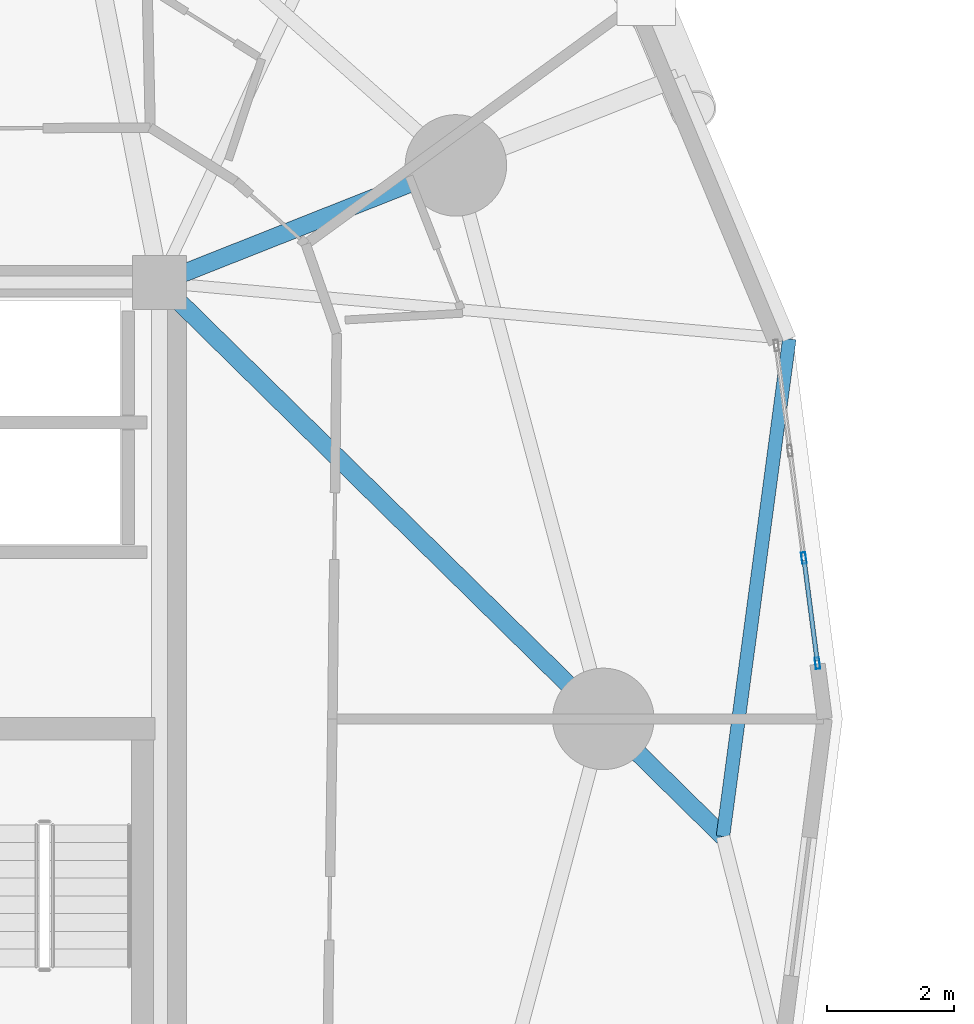
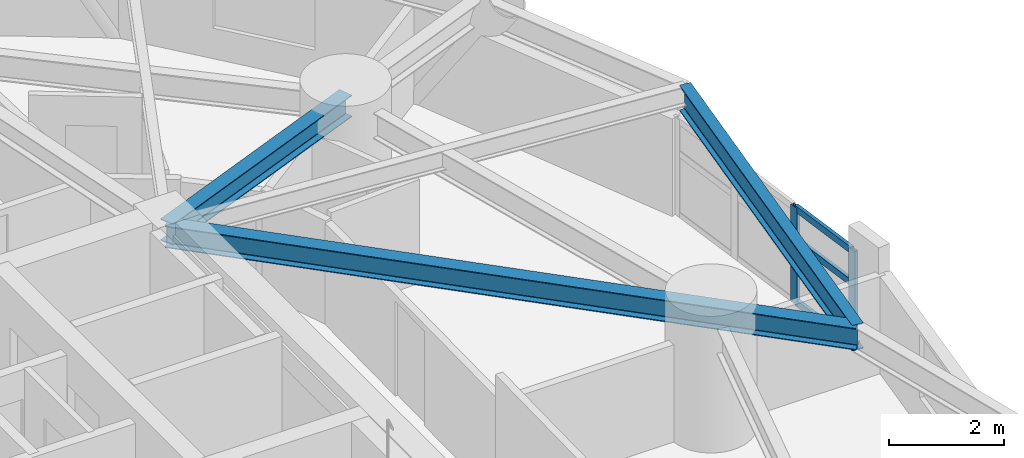
# One storey, part 2 of 19: 5 members, 3 beams, 1 element without a shape of its own.
"""IFC4 building model written with IfcOpenShell, lengths in metres."""

import ifcopenshell
import ifcopenshell.guid

model = None  # the IFC model being written
_history = None  # IfcOwnerHistory: only IFC2X3 demands one
_inside = {}  # id of a spatial element -> (the spatial element, [elements in it])
_under = {}  # id of a project, library or spatial element -> (it, [spatial elements below it])
_declared = {}  # id of a project -> (the project, [libraries it declares])
_typed = {}  # id of a type object -> (the type object, [elements of that type])
_made_of = {}  # id of a material, layer set ... -> (it, [elements and type objects made of it])


def new_model(schema):
    """Start an empty IFC model of exactly this schema.

    Asked for "IFC4X3", IfcOpenShell would pick the latest addendum, in which some entities
    have other attributes; the version numbers below select the first issue.
    IFC2X3 requires an IfcOwnerHistory on every rooted entity: one is made here for all.
    """
    global model, _history
    if schema == "IFC4X3":
        model = ifcopenshell.file(schema_version=(4, 3, 0, 0))
    else:
        model = ifcopenshell.file(schema=schema)
    _inside.clear()
    _under.clear()
    _declared.clear()
    _typed.clear()
    _made_of.clear()
    _history = None
    if model.schema == "IFC2X3":
        org = make("IfcOrganization", Name="unknown")
        user = make(
            "IfcPersonAndOrganization",
            ThePerson=make("IfcPerson", FamilyName="unknown"),
            TheOrganization=org,
        )
        app = make(
            "IfcApplication",
            ApplicationDeveloper=org,
            Version="unknown",
            ApplicationFullName="unknown",
            ApplicationIdentifier="unknown",
        )
        _history = make(
            "IfcOwnerHistory",
            OwningUser=user,
            OwningApplication=app,
            ChangeAction="ADDED",
            CreationDate=0,
        )
    return model


def make(cls, **values):
    """One entity of the class cls with the attributes given. An attribute that is None is left unset."""
    return model.create_entity(
        cls, **{name: value for name, value in values.items() if value is not None}
    )


def rooted(cls, **values):
    """An entity with a GlobalId (a new one), such as an element, a storey or a relation."""
    return make(cls, GlobalId=ifcopenshell.guid.new(), OwnerHistory=_history, **values)


def si_unit(unit_type, name, prefix=None):
    """IfcSIUnit, for example si_unit("LENGTHUNIT", "METRE", prefix="MILLI")."""
    return make("IfcSIUnit", UnitType=unit_type, Prefix=prefix, Name=name)


def assignment(units):
    """IfcUnitAssignment: the units of a project."""
    return None if units is None else make("IfcUnitAssignment", Units=units)


def point(xyz):
    """IfcCartesianPoint."""
    return None if xyz is None else make("IfcCartesianPoint", Coordinates=xyz)


def direction(xyz):
    """IfcDirection."""
    return None if xyz is None else make("IfcDirection", DirectionRatios=xyz)


def frame(location, z_axis=None, x_axis=None):
    """IfcAxis2Placement3D, a coordinate frame: its origin and axes. An axis left out is left unset."""
    return make(
        "IfcAxis2Placement3D",
        Location=point(location),
        Axis=direction(z_axis),
        RefDirection=direction(x_axis),
    )


def frame_2d(location, x_axis=None):
    """IfcAxis2Placement2D, a coordinate frame in the plane: its origin and x axis."""
    return make(
        "IfcAxis2Placement2D", Location=point(location), RefDirection=direction(x_axis)
    )


def origin():
    """The frame at (0, 0, 0) with its axes left unset."""
    return frame((0.0, 0.0, 0.0))


def origin_2d():
    """The frame at (0, 0) in the plane with its x axis left unset."""
    return frame_2d((0.0, 0.0))


def place(relative_to, where):
    """IfcLocalPlacement: puts the frame where relative to a parent placement (None: the world)."""
    return make(
        "IfcLocalPlacement", PlacementRelTo=relative_to, RelativePlacement=where
    )


def context(
    kind, dimensions, precision=None, world=None, true_north=None, identifier=None
):
    """IfcGeometricRepresentationContext, for example the 3D "Model" context."""
    return make(
        "IfcGeometricRepresentationContext",
        ContextIdentifier=identifier,
        ContextType=kind,
        CoordinateSpaceDimension=dimensions,
        Precision=precision,
        WorldCoordinateSystem=world,
        TrueNorth=true_north,
    )


def subcontext(parent, identifier, kind, view, scale=None):
    """IfcGeometricRepresentationSubContext, for example "Body" below "Model"."""
    return make(
        "IfcGeometricRepresentationSubContext",
        ContextIdentifier=identifier,
        ContextType=kind,
        ParentContext=parent,
        TargetScale=scale,
        TargetView=view,
    )


def project(units=None, contexts=None):
    """IfcProject with its units and contexts."""
    return rooted(
        "IfcProject",
        Name="project",
        RepresentationContexts=contexts,
        UnitsInContext=assignment(units),
    )


def spatial(cls, under=None, at=None, **own):
    """A site, building, storey or space (cls), placed at a placement, below another one or the project."""
    s = rooted(cls, ObjectPlacement=at, **own)
    if under is not None:
        _under.setdefault(under.id(), (under, []))[1].append(s)
    return s


def profile(cls, at=None, kind="AREA", **sizes):
    """A parametric profile (cls). Its sizes go by their IFC names, for example OverallWidth=200.0."""
    return make(cls, ProfileType=kind, Position=at, **sizes)


def hollow_rectangle(**sizes):
    """IfcRectangleHollowProfileDef."""
    return profile("IfcRectangleHollowProfileDef", **sizes)


def i_section(**sizes):
    """IfcIShapeProfileDef."""
    return profile("IfcIShapeProfileDef", **sizes)


def extrude(swept, where, along, depth):
    """IfcExtrudedAreaSolid: the profile swept, set in the frame where, extruded along a direction by depth."""
    return make(
        "IfcExtrudedAreaSolid",
        SweptArea=swept,
        Position=where,
        ExtrudedDirection=direction(along),
        Depth=depth,
    )


def shape(context_of_items, identifier, shape_type, items):
    """IfcShapeRepresentation: the items that make up one representation, for example the "Body"."""
    return make(
        "IfcShapeRepresentation",
        ContextOfItems=context_of_items,
        RepresentationIdentifier=identifier,
        RepresentationType=shape_type,
        Items=items,
    )


def material(Name=None, Category=None):
    """IfcMaterial."""
    return make("IfcMaterial", Name=Name, Category=Category)


def layer(
    of_material, thickness, ventilated=None, Name=None, Category=None, Priority=None
):
    """IfcMaterialLayer: one layer of a wall or slab, of a material (None: an air gap)."""
    return make(
        "IfcMaterialLayer",
        Material=of_material,
        LayerThickness=thickness,
        IsVentilated=ventilated,
        Name=Name,
        Category=Category,
        Priority=Priority,
    )


def layer_set(layers, Name=None):
    """IfcMaterialLayerSet."""
    return make("IfcMaterialLayerSet", MaterialLayers=layers, LayerSetName=Name)


def material_profile(
    of_material, cross_section, Name=None, Category=None, Priority=None
):
    """IfcMaterialProfile: a cross section and its material."""
    return make(
        "IfcMaterialProfile",
        Name=Name,
        Material=of_material,
        Profile=cross_section,
        Priority=Priority,
        Category=Category,
    )


def profile_set(profiles, Name=None, composite=None):
    """IfcMaterialProfileSet."""
    return make(
        "IfcMaterialProfileSet",
        Name=Name,
        MaterialProfiles=profiles,
        CompositeProfile=composite,
    )


def made_of(thing, what):
    """Note that an element or type object is made of a material, layer set ...; save() writes the relation."""
    if what is not None:
        _made_of.setdefault(what.id(), (what, []))[1].append(thing)
    return thing


def type_object(cls, material=None, **own):
    """A type object (cls), such as IfcWallType, which elements share."""
    return made_of(rooted(cls, **own), material)


def element(
    cls,
    number,
    at=None,
    inside=None,
    cuts=None,
    type_object=None,
    material=None,
    context=None,
    identifier="Body",
    shape_type=None,
    held_by="IfcProductDefinitionShape",
    body=None,
    shapes=None,
    **own,
):
    """One element of the class cls, such as IfcWall. Its Tag is "e" and its number.

    at: its placement. inside: the storey or other place that contains it. cuts: it is an
    opening in that element (IfcRelVoidsElement). A single representation is given by context,
    identifier, shape_type and body (its items); several are given by shapes. held_by: the class
    of the entity that holds the representations. save() writes the other relations.
    """
    e = rooted(cls, Tag="e%d" % number, ObjectPlacement=at, **own)
    if body is not None:
        shapes = [shape(context, identifier, shape_type, body)]
    if shapes is not None:
        e.Representation = make(held_by, Representations=shapes)
    if inside is not None:
        _inside.setdefault(inside.id(), (inside, []))[1].append(e)
    if cuts is not None:
        rooted(
            "IfcRelVoidsElement", RelatingBuildingElement=cuts, RelatedOpeningElement=e
        )
    if type_object is not None:
        _typed.setdefault(type_object.id(), (type_object, []))[1].append(e)
    return made_of(e, material)


def aggregate(whole, parts):
    """IfcRelAggregates: a whole, such as a stair, and the parts it consists of."""
    return rooted("IfcRelAggregates", RelatingObject=whole, RelatedObjects=parts)


def save(model, path):
    """Write the relations noted so far, then the file.

    IfcRelAggregates (storeys below a building ...), IfcRelContainedInSpatialStructure (elements
    in a storey), IfcRelDefinesByType, IfcRelAssociatesMaterial and IfcRelDeclares: one each for
    every whole, place, type object, material and project.
    """
    for whole, parts in _under.values():
        aggregate(whole, parts)
    for where, things in _inside.values():
        rooted(
            "IfcRelContainedInSpatialStructure",
            RelatedElements=things,
            RelatingStructure=where,
        )
    for kind, things in _typed.values():
        rooted("IfcRelDefinesByType", RelatedObjects=things, RelatingType=kind)
    for what, things in _made_of.values():
        rooted("IfcRelAssociatesMaterial", RelatedObjects=things, RelatingMaterial=what)
    for by, libraries in _declared.values():
        rooted("IfcRelDeclares", RelatingContext=by, RelatedDefinitions=libraries)
    model.write(path)


model = new_model("IFC4")

# Units and contexts
model_context = context("Model", 3, precision=1e-05, world=origin(), true_north=direction((0.0, 1.0)))
body_context = subcontext(model_context, "Body", "Model", "MODEL_VIEW")
ifc_project = project(units=[si_unit("LENGTHUNIT", "METRE"), si_unit("AREAUNIT", "SQUARE_METRE"), si_unit("VOLUMEUNIT", "CUBIC_METRE"), si_unit("PLANEANGLEUNIT", "RADIAN"), si_unit("MASSUNIT", "GRAM", prefix="KILO")], contexts=[model_context])

# Site, building, storey
site_placement = place(None, origin())
site = spatial("IfcSite", under=ifc_project, at=site_placement, CompositionType="ELEMENT")
building_placement = place(site_placement, origin())
building = spatial("IfcBuilding", under=site, at=building_placement, Name="Cununo Teusaquillo Station Towers", CompositionType="ELEMENT")
storey_placement = place(building_placement, frame((0.0, 0.0, 48.18994140625)))
storey = spatial("IfcBuildingStorey", under=building, at=storey_placement, Name="L14", CompositionType="ELEMENT", Elevation=48.18994140625)

# Beams
ifc_material_1 = material(Name="Steel ASTM A572 Grade 50", Category="steel")
ifc_material_profile_1 = material_profile(ifc_material_1, i_section(OverallWidth=0.280029296875, OverallDepth=0.462890625, WebThickness=0.0107421875, FlangeThickness=0.017333984375, FilletRadius=0.013916015625, at=origin_2d()), Name="W18X76")
ifc_profile_set_1 = profile_set([ifc_material_profile_1], Name="Steel ASTM A572 Grade 50")
beam_type_1 = type_object("IfcBeamType", Name="BM-RAD-G1", PredefinedType="BEAM", material=ifc_profile_set_1)
beam_1_placement = place(storey_placement, frame((21.675048828125, 31.3798828125, 2.41845703125), z_axis=(0.713048497084, -0.701114713015, 0.0), x_axis=(0.701114713015, 0.713048497084, 0.0)))
element("IfcBeam", 1, at=beam_1_placement, inside=storey, type_object=beam_type_1, Name="L14 Tower A Continuous Overhanging Radial Girder 01", PredefinedType="BEAM", context=body_context, shape_type="SweptSolid", body=[
    extrude(i_section(OverallWidth=0.280029296875, OverallDepth=0.462890625, WebThickness=0.0107421875, FlangeThickness=0.017333984375, FilletRadius=0.013916015625, at=origin_2d()), origin(), (0.0, 0.0, 1.0), 12.458984375),
])
beam_2_placement = place(storey_placement, frame((21.675048828125, 31.3798828125, 2.41845703125), z_axis=(0.929864104313, 0.367903176814, 0.0), x_axis=(-0.367903176814, 0.929864104313, 0.0)))
element("IfcBeam", 2, at=beam_2_placement, inside=storey, type_object=beam_type_1, Name="L14 Tower A Radial Girder 02A", PredefinedType="BEAM", context=body_context, shape_type="SweptSolid", body=[
    extrude(i_section(OverallWidth=0.280029296875, OverallDepth=0.462890625, WebThickness=0.0107421875, FlangeThickness=0.017333984375, FilletRadius=0.013916015625, at=origin_2d()), origin(), (0.0, 0.0, 1.0), 5.02490234375),
])
ifc_material_2 = material(Name="Steel ASTM A572 Grade 50", Category="steel")
ifc_material_profile_2 = material_profile(ifc_material_2, i_section(OverallWidth=0.214111328125, OverallDepth=0.549072265625, WebThickness=0.0146484375, FlangeThickness=0.023681640625, FilletRadius=0.014892578125, at=origin_2d()), Name="W21X93")
ifc_profile_set_2 = profile_set([ifc_material_profile_2], Name="Steel ASTM A572 Grade 50")
beam_type_2 = type_object("IfcBeamType", Name="BM-RING-Z1", PredefinedType="SPANDREL", material=ifc_profile_set_2)
beam_3_placement = place(storey_placement, frame((30.558837890625, 22.644775390625, 2.37548828125), z_axis=(0.132240482179, 0.991217662712, 0.0), x_axis=(-0.991217662712, 0.132240482179, 0.0)))
element("IfcBeam", 3, at=beam_3_placement, inside=storey, type_object=beam_type_2, Name="L14 Tower A Spandrel Ring Beam 01", PredefinedType="SPANDREL", context=body_context, shape_type="SweptSolid", body=[
    extrude(i_section(OverallWidth=0.214111328125, OverallDepth=0.549072265625, WebThickness=0.0146484375, FlangeThickness=0.023681640625, FilletRadius=0.014892578125, at=origin_2d()), origin(), (0.0, 0.0, 1.0), 7.91650390625),
])

# Curtain wall, members
ifc_material_3 = material(Name="Operable acoustic tinted low-E double glazing", Category="glass")
ifc_layer = layer(ifc_material_3, 0.179931640625)
ifc_layer_set = layer_set([ifc_layer], Name="Operable acoustic tinted low-E double glazing")
curtain_wall_type = type_object("IfcCurtainWallType", Name="CW-SYS-03", PredefinedType="USERDEFINED", material=ifc_layer_set)
curtain_wall_placement = place(storey_placement, origin())
curtain_wall = element("IfcCurtainWall", 4, at=curtain_wall_placement, inside=storey, type_object=curtain_wall_type, Name="L14 Tower A Facade Curtain Wall C00", ObjectType="OPERABLE GLAZING", PredefinedType="USERDEFINED")
ifc_material_4 = material(Name="Anodised dark bronze aluminium EN AW-6063-T6", Category="aluminium")
ifc_material_profile_3 = material_profile(ifc_material_4, hollow_rectangle(XDim=0.070068359375, YDim=0.179931640625, WallThickness=0.00390625, at=origin_2d()), Name="CW-MULL-70x180")
ifc_profile_set_3 = profile_set([ifc_material_profile_3], Name="Anodised dark bronze aluminium EN AW-6063-T6")
member_type_1 = type_object("IfcMemberType", Name="CWM-180", PredefinedType="MULLION", material=ifc_profile_set_3)
member_1_placement = place(storey_placement, frame((31.834716796875, 27.03662109375, 0.0), z_axis=(0.0, 0.0, 1.0), x_axis=(0.99173073067, 0.128336112783, 0.0)))
member_1 = element("IfcMember", 5, at=member_1_placement, type_object=member_type_1, Name="CW-03 mullion 3", PredefinedType="MULLION", context=body_context, shape_type="SweptSolid", body=[
    extrude(hollow_rectangle(XDim=0.070068359375, YDim=0.179931640625, WallThickness=0.00390625, at=origin_2d()), origin(), (0.0, 0.0, 1.0), 2.072998046875),
])
member_2_placement = place(storey_placement, frame((32.04931640625, 25.377685546875, 0.0), z_axis=(0.0, 0.0, 1.0), x_axis=(0.99173073067, 0.128336112783, 0.0)))
member_2 = element("IfcMember", 6, at=member_2_placement, type_object=member_type_1, Name="CW-03 mullion 4", PredefinedType="MULLION", context=body_context, shape_type="SweptSolid", body=[
    extrude(hollow_rectangle(XDim=0.070068359375, YDim=0.179931640625, WallThickness=0.00390625, at=origin_2d()), origin(), (0.0, 0.0, 1.0), 2.072998046875),
])
ifc_material_5 = material(Name="Anodised dark bronze aluminium EN AW-6063-T6", Category="aluminium")
ifc_material_profile_4 = material_profile(ifc_material_5, hollow_rectangle(XDim=0.070068359375, YDim=0.139892578125, WallThickness=0.00390625, at=origin_2d()), Name="CW-TRAN-70x140")
ifc_profile_set_4 = profile_set([ifc_material_profile_4], Name="Anodised dark bronze aluminium EN AW-6063-T6")
member_type_2 = type_object("IfcMemberType", Name="CWT-140", PredefinedType="USERDEFINED", material=ifc_profile_set_4)
member_3_placement = place(storey_placement, frame((31.839111328125, 27.001953125, 0.03515625), z_axis=(0.128401455372, -0.991722272745, 0.0), x_axis=(0.991722272745, 0.128401455372, 0.0)))
member_3 = element("IfcMember", 7, at=member_3_placement, type_object=member_type_2, Name="CW-03 transom 3.1", ObjectType="TRANSOM", PredefinedType="USERDEFINED", context=body_context, shape_type="SweptSolid", body=[
    extrude(hollow_rectangle(XDim=0.070068359375, YDim=0.139892578125, WallThickness=0.00390625, at=origin_2d()), origin(), (0.0, 0.0, 1.0), 1.602783203125),
])
member_4_placement = place(storey_placement, frame((31.839111328125, 27.001953125, 1.34716796875), z_axis=(0.128401455372, -0.991722272745, 0.0), x_axis=(0.991722272745, 0.128401455372, 0.0)))
member_4 = element("IfcMember", 8, at=member_4_placement, type_object=member_type_2, Name="CW-03 transom 3.2", ObjectType="TRANSOM", PredefinedType="USERDEFINED", context=body_context, shape_type="SweptSolid", body=[
    extrude(hollow_rectangle(XDim=0.070068359375, YDim=0.139892578125, WallThickness=0.00390625, at=origin_2d()), origin(), (0.0, 0.0, 1.0), 1.602783203125),
])
member_5_placement = place(storey_placement, frame((31.839111328125, 27.001953125, 2.0380859375), z_axis=(0.128401455372, -0.991722272745, 0.0), x_axis=(0.991722272745, 0.128401455372, 0.0)))
member_5 = element("IfcMember", 9, at=member_5_placement, type_object=member_type_2, Name="CW-03 transom 3.3", ObjectType="TRANSOM", PredefinedType="USERDEFINED", context=body_context, shape_type="SweptSolid", body=[
    extrude(hollow_rectangle(XDim=0.070068359375, YDim=0.139892578125, WallThickness=0.00390625, at=origin_2d()), origin(), (0.0, 0.0, 1.0), 1.602783203125),
])
aggregate(curtain_wall, [member_1, member_2, member_3, member_4, member_5])

save(model, "model.ifc")
